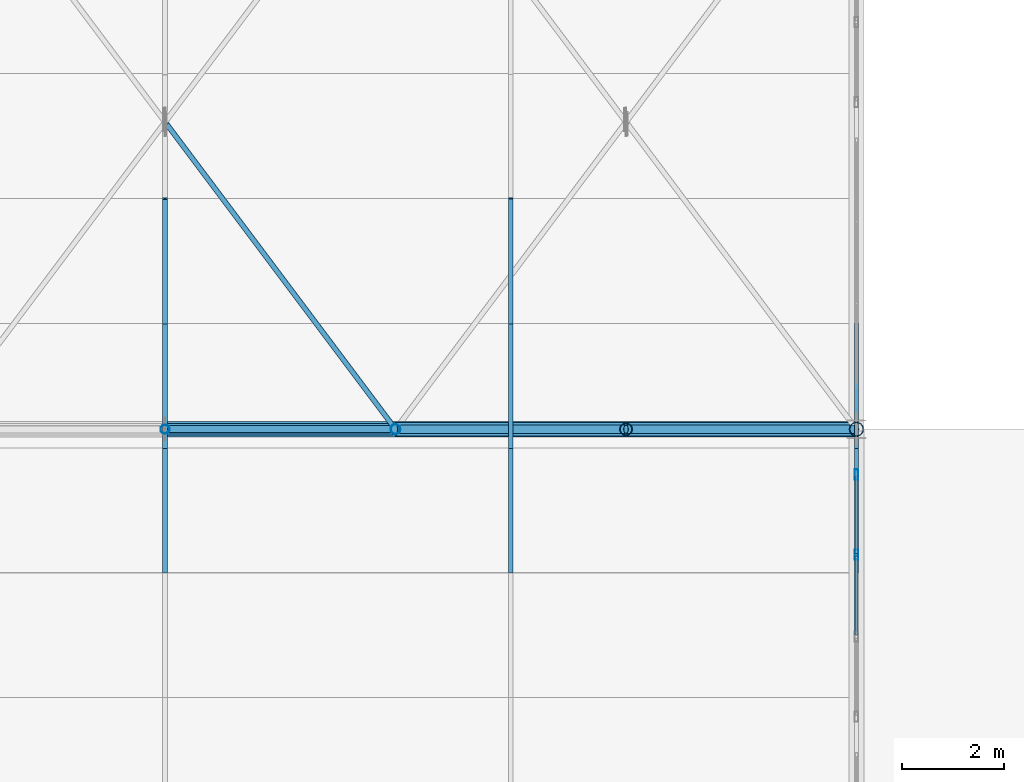
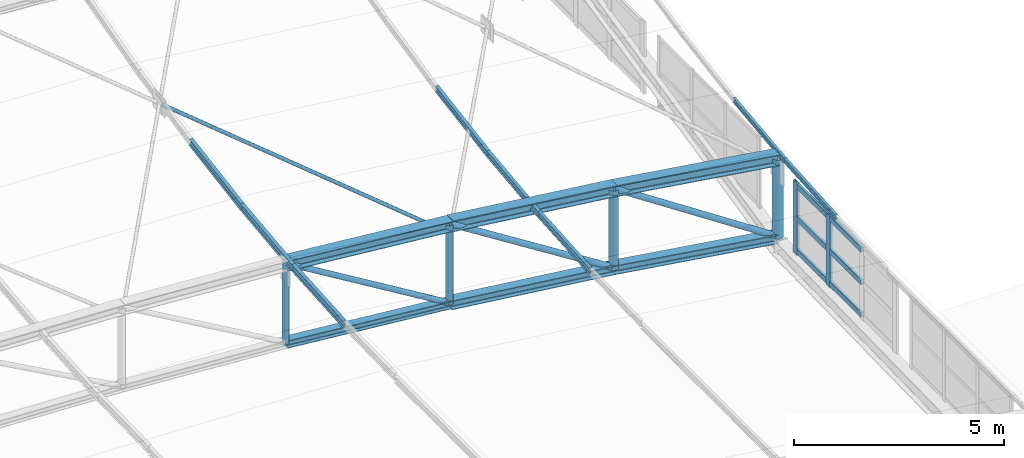
# One storey, part 123 of 262: 30 members, 1 element without a shape of its own.
"""IFC4 building model written with IfcOpenShell, lengths in metres."""

from ifc_helpers import new_model, si_unit, derived_unit, direction, frame, origin, origin_2d, place, context, subcontext, project, spatial, hollow_rectangle, hollow_circle, i_section, extrude, material, layer, layer_set, material_profile, profile_set, type_object, element, aggregate, save


model = new_model("IFC4")

# Units and contexts
model_context = context("Model", 3, precision=1e-05, world=origin(), true_north=direction((0.0, 1.0)))
body_context = subcontext(model_context, "Body", "Model", "MODEL_VIEW")
ifc_project = project(units=[si_unit("LENGTHUNIT", "METRE"), si_unit("AREAUNIT", "SQUARE_METRE"), si_unit("VOLUMEUNIT", "CUBIC_METRE"), si_unit("PLANEANGLEUNIT", "RADIAN"), si_unit("MASSUNIT", "GRAM", prefix="KILO"), derived_unit("THERMALTRANSMITTANCEUNIT", [(si_unit("POWERUNIT", "WATT"), 1), (si_unit("LENGTHUNIT", "METRE"), -2), (si_unit("THERMODYNAMICTEMPERATUREUNIT", "KELVIN"), -1)])], contexts=[model_context])

# Site, building, storey
site_placement = place(None, origin())
site = spatial("IfcSite", under=ifc_project, at=site_placement, CompositionType="ELEMENT")
building_placement = place(site_placement, origin())
building = spatial("IfcBuilding", under=site, at=building_placement, Name="Almenara Railside Exhibition Hall", CompositionType="ELEMENT")
storey_placement = place(building_placement, frame((0.0, 0.0, 21.699951171875)))
storey = spatial("IfcBuildingStorey", under=building, at=storey_placement, Name="RF", CompositionType="ELEMENT", Elevation=21.699951171875)

# Members
ifc_material_1 = material(Name="Structural steel S355JR", Category="steel")
ifc_material_profile_1 = material_profile(ifc_material_1, i_section(OverallWidth=0.300048828125, OverallDepth=0.300048828125, WebThickness=0.010986328125, FlangeThickness=0.01904296875, FilletRadius=0.027099609375, at=origin_2d()), Name="HEB 300")
ifc_profile_set_1 = profile_set([ifc_material_profile_1], Name="Structural steel S355JR")
member_type_1 = type_object("IfcMemberType", Name="Arched Inner Top Chord HEB 300 S355JR", PredefinedType="CHORD", material=ifc_profile_set_1)
member_1_placement = place(storey_placement, frame((52.5, 108.0, 1.814697265625), z_axis=(0.995512933083, 0.0, -0.094625578275), x_axis=(0.0, 1.0, 0.0)))
element("IfcMember", 1, at=member_1_placement, inside=storey, type_object=member_type_1, Name="MEM-TC-V1-05-09", PredefinedType="CHORD", context=body_context, shape_type="SweptSolid", body=[
    extrude(i_section(OverallWidth=0.300048828125, OverallDepth=0.300048828125, WebThickness=0.010986328125, FlangeThickness=0.01904296875, FilletRadius=0.027099609375, at=origin_2d()), origin(), (0.0, 0.0, 1.0), 4.520263671875),
])
ifc_material_profile_2 = material_profile(ifc_material_1, i_section(OverallWidth=0.260009765625, OverallDepth=0.260009765625, WebThickness=0.010009765625, FlangeThickness=0.017578125, FilletRadius=0.02392578125, at=origin_2d()), Name="HEB 260")
ifc_profile_set_2 = profile_set([ifc_material_profile_2], Name="Structural steel S355JR")
member_type_2 = type_object("IfcMemberType", Name="Arched Truss Bottom Chord HEB 260 S355JR", PredefinedType="CHORD", material=ifc_profile_set_2)
member_2_placement = place(storey_placement, frame((57.0, 108.0, -0.9130859375), z_axis=(0.992618705116, 0.0, -0.12127698155), x_axis=(0.0, 1.0, 0.0)))
element("IfcMember", 2, at=member_2_placement, inside=storey, type_object=member_type_2, Name="MEM-BC-V1-05-10", PredefinedType="CHORD", context=body_context, shape_type="SweptSolid", body=[
    extrude(i_section(OverallWidth=0.260009765625, OverallDepth=0.260009765625, WebThickness=0.010009765625, FlangeThickness=0.017578125, FilletRadius=0.02392578125, at=origin_2d()), origin(), (0.0, 0.0, 1.0), 4.533447265625),
])
member_3_placement = place(storey_placement, frame((61.5, 108.0, -1.462890625), z_axis=(0.989021203369, 0.0, -0.147773675894), x_axis=(0.0, 1.0, 0.0)))
element("IfcMember", 3, at=member_3_placement, inside=storey, type_object=member_type_2, Name="MEM-BC-V1-05-11", PredefinedType="CHORD", context=body_context, shape_type="SweptSolid", body=[
    extrude(i_section(OverallWidth=0.260009765625, OverallDepth=0.260009765625, WebThickness=0.010009765625, FlangeThickness=0.017578125, FilletRadius=0.02392578125, at=origin_2d()), origin(), (0.0, 0.0, 1.0), 4.550048828125),
])
ifc_material_profile_3 = material_profile(ifc_material_1, i_section(OverallWidth=0.300048828125, OverallDepth=0.320068359375, WebThickness=0.011474609375, FlangeThickness=0.0205078125, FilletRadius=0.027099609375, at=origin_2d()), Name="HEB 320")
ifc_profile_set_3 = profile_set([ifc_material_profile_3], Name="Structural steel S355JR")
member_type_3 = type_object("IfcMemberType", Name="Arched Truss Top Chord HEB 320 S355JR", PredefinedType="CHORD", material=ifc_profile_set_3)
member_4_placement = place(storey_placement, frame((57.0, 108.0, 1.386962890625), z_axis=(0.992612220818, 0.0, -0.121330041965), x_axis=(0.0, 1.0, 0.0)))
element("IfcMember", 4, at=member_4_placement, inside=storey, type_object=member_type_3, Name="MEM-TC-V1-05-10", PredefinedType="CHORD", context=body_context, shape_type="SweptSolid", body=[
    extrude(i_section(OverallWidth=0.300048828125, OverallDepth=0.320068359375, WebThickness=0.011474609375, FlangeThickness=0.0205078125, FilletRadius=0.027099609375, at=origin_2d()), origin(), (0.0, 0.0, 1.0), 4.533447265625),
])
member_5_placement = place(storey_placement, frame((61.5, 108.0, 0.8369140625), z_axis=(0.9890290442, 0.0, -0.147721189165), x_axis=(0.0, 1.0, 0.0)))
element("IfcMember", 5, at=member_5_placement, inside=storey, type_object=member_type_3, Name="MEM-TC-V1-05-11", PredefinedType="CHORD", context=body_context, shape_type="SweptSolid", body=[
    extrude(i_section(OverallWidth=0.300048828125, OverallDepth=0.320068359375, WebThickness=0.011474609375, FlangeThickness=0.0205078125, FilletRadius=0.027099609375, at=origin_2d()), origin(), (0.0, 0.0, 1.0), 4.5498046875),
])
ifc_material_profile_4 = material_profile(ifc_material_1, i_section(OverallWidth=0.072998046875, OverallDepth=0.139892578125, WebThickness=0.004638671875, FlangeThickness=0.0068359375, FilletRadius=0.007080078125, at=origin_2d()), Name="IPE 140")
ifc_profile_set_4 = profile_set([ifc_material_profile_4], Name="Structural steel S355JR")
member_type_4 = type_object("IfcMemberType", Name="Canopy Edge Purlin IPE 140 S355JR", PredefinedType="PURLIN", material=ifc_profile_set_4)
member_6_placement = place(storey_placement, frame((66.0, 105.1962890625, 0.121826171875), z_axis=(0.0, 0.997528729247, 0.070259763216), x_axis=(-1.0, 0.0, 0.0)))
element("IfcMember", 6, at=member_6_placement, inside=storey, type_object=member_type_4, Name="MEM-PR-V1-PR-IPE140-08-17", PredefinedType="PURLIN", context=body_context, shape_type="SweptSolid", body=[
    extrude(i_section(OverallWidth=0.072998046875, OverallDepth=0.139892578125, WebThickness=0.004638671875, FlangeThickness=0.0068359375, FilletRadius=0.007080078125, at=origin_2d()), origin(), (0.0, 0.0, 1.0), 2.44287109375),
])
member_7_placement = place(storey_placement, frame((66.0, 107.633056640625, 0.292236328125), z_axis=(0.0, 0.993105700961, 0.117222296166), x_axis=(-1.0, 0.0, 0.0)))
element("IfcMember", 7, at=member_7_placement, inside=storey, type_object=member_type_4, Name="MEM-PR-V1-PR-IPE140-08-18", PredefinedType="PURLIN", context=body_context, shape_type="SweptSolid", body=[
    extrude(i_section(OverallWidth=0.072998046875, OverallDepth=0.139892578125, WebThickness=0.004638671875, FlangeThickness=0.0068359375, FilletRadius=0.007080078125, at=origin_2d()), origin(), (0.0, 0.0, 1.0), 2.453369140625),
])

# Curtain wall, members
ifc_material_2 = material(Name="Bronze-anodised aluminium and low-E double glazing", Category="aluminium")
ifc_layer = layer(ifc_material_2, 0.179931640625, Name="Bronze-anodised aluminium and low-E double glazing")
ifc_layer_set = layer_set([ifc_layer], Name="Bronze-anodised aluminium and low-E double glazing")
curtain_wall_type = type_object("IfcCurtainWallType", Name="West Hall Clerestory Curtain Wall 4200x2400", PredefinedType="NOTDEFINED", material=ifc_layer_set)
curtain_wall_placement = place(storey_placement, origin())
curtain_wall = element("IfcCurtainWall", 8, at=curtain_wall_placement, inside=storey, type_object=curtain_wall_type, Name="Curtain wall CW-CL1-187", PredefinedType="NOTDEFINED")
ifc_material_3 = material(Name="Bronze-anodised aluminium", Category="aluminium")
ifc_material_profile_5 = material_profile(ifc_material_3, hollow_rectangle(XDim=0.070068359375, YDim=0.199951171875, WallThickness=0.00439453125, InnerFilletRadius=0.00439453125, OuterFilletRadius=0.009033203125, at=origin_2d()), Name="ALU-MUL 70x200x4.5")
ifc_profile_set_5 = profile_set([ifc_material_profile_5], Name="Bronze-anodised aluminium")
member_type_5 = type_object("IfcMemberType", Name="Curtain Wall Mullion 70x200x4.5", PredefinedType="MULLION", material=ifc_profile_set_5)
member_8_placement = place(storey_placement, frame((66.0, 105.550048828125, -2.0849609375), z_axis=(0.0, 0.0, 1.0), x_axis=(-1.0, 0.0, 0.0)))
member_8 = element("IfcMember", 9, at=member_8_placement, type_object=member_type_5, Name="CW-CL1-187 mullion 3", PredefinedType="MULLION", context=body_context, shape_type="SweptSolid", body=[
    extrude(hollow_rectangle(XDim=0.070068359375, YDim=0.199951171875, WallThickness=0.00439453125, InnerFilletRadius=0.00439453125, OuterFilletRadius=0.009033203125, at=origin_2d()), origin(), (0.0, 0.0, 1.0), 2.0849609375),
])
member_9_placement = place(storey_placement, frame((66.0, 107.114990234375, -2.0849609375), z_axis=(0.0, 0.0, 1.0), x_axis=(-1.0, 0.0, 0.0)))
member_9 = element("IfcMember", 10, at=member_9_placement, type_object=member_type_5, Name="CW-CL1-187 mullion 4", PredefinedType="MULLION", context=body_context, shape_type="SweptSolid", body=[
    extrude(hollow_rectangle(XDim=0.070068359375, YDim=0.199951171875, WallThickness=0.00439453125, InnerFilletRadius=0.00439453125, OuterFilletRadius=0.009033203125, at=origin_2d()), origin(), (0.0, 0.0, 1.0), 2.0849609375),
])
ifc_material_profile_6 = material_profile(ifc_material_3, hollow_rectangle(XDim=0.070068359375, YDim=0.159912109375, WallThickness=0.00390625, InnerFilletRadius=0.00390625, OuterFilletRadius=0.008056640625, at=origin_2d()), Name="ALU-TRN 70x160x4")
ifc_profile_set_6 = profile_set([ifc_material_profile_6], Name="Bronze-anodised aluminium")
member_type_6 = type_object("IfcMemberType", Name="Curtain Wall Transom 70x160x4", PredefinedType="USERDEFINED", material=ifc_profile_set_6)
member_10_placement = place(storey_placement, frame((66.0, 103.97705078125, -1.969970703125), z_axis=(0.0, 1.0, 0.0), x_axis=(-1.0, 0.0, 0.0)))
member_10 = element("IfcMember", 11, at=member_10_placement, type_object=member_type_6, Name="CW-CL1-187 transom 2.1", ObjectType="TRANSOM", PredefinedType="USERDEFINED", context=body_context, shape_type="SweptSolid", body=[
    extrude(hollow_rectangle(XDim=0.070068359375, YDim=0.159912109375, WallThickness=0.00390625, InnerFilletRadius=0.00390625, OuterFilletRadius=0.008056640625, at=origin_2d()), origin(), (0.0, 0.0, 1.0), 1.5458984375),
])
member_11_placement = place(storey_placement, frame((66.0, 103.97705078125, -1.02490234375), z_axis=(0.0, 1.0, 0.0), x_axis=(-1.0, 0.0, 0.0)))
member_11 = element("IfcMember", 12, at=member_11_placement, type_object=member_type_6, Name="CW-CL1-187 transom 2.2", ObjectType="TRANSOM", PredefinedType="USERDEFINED", context=body_context, shape_type="SweptSolid", body=[
    extrude(hollow_rectangle(XDim=0.070068359375, YDim=0.159912109375, WallThickness=0.00390625, InnerFilletRadius=0.00390625, OuterFilletRadius=0.008056640625, at=origin_2d()), origin(), (0.0, 0.0, 1.0), 1.5458984375),
])
member_12_placement = place(storey_placement, frame((66.0, 103.97705078125, -0.079833984375), z_axis=(0.0, 1.0, 0.0), x_axis=(-1.0, 0.0, 0.0)))
member_12 = element("IfcMember", 13, at=member_12_placement, type_object=member_type_6, Name="CW-CL1-187 transom 2.3", ObjectType="TRANSOM", PredefinedType="USERDEFINED", context=body_context, shape_type="SweptSolid", body=[
    extrude(hollow_rectangle(XDim=0.070068359375, YDim=0.159912109375, WallThickness=0.00390625, InnerFilletRadius=0.00390625, OuterFilletRadius=0.008056640625, at=origin_2d()), origin(), (0.0, 0.0, 1.0), 1.5458984375),
])
member_13_placement = place(storey_placement, frame((66.0, 105.576904296875, -1.969970703125), z_axis=(0.0, 1.0, 0.0), x_axis=(-1.0, 0.0, 0.0)))
member_13 = element("IfcMember", 14, at=member_13_placement, type_object=member_type_6, Name="CW-CL1-187 transom 3.1", ObjectType="TRANSOM", PredefinedType="USERDEFINED", context=body_context, shape_type="SweptSolid", body=[
    extrude(hollow_rectangle(XDim=0.070068359375, YDim=0.159912109375, WallThickness=0.00390625, InnerFilletRadius=0.00390625, OuterFilletRadius=0.008056640625, at=origin_2d()), origin(), (0.0, 0.0, 1.0), 1.510986328125),
])
member_14_placement = place(storey_placement, frame((66.0, 105.576904296875, -1.02490234375), z_axis=(0.0, 1.0, 0.0), x_axis=(-1.0, 0.0, 0.0)))
member_14 = element("IfcMember", 15, at=member_14_placement, type_object=member_type_6, Name="CW-CL1-187 transom 3.2", ObjectType="TRANSOM", PredefinedType="USERDEFINED", context=body_context, shape_type="SweptSolid", body=[
    extrude(hollow_rectangle(XDim=0.070068359375, YDim=0.159912109375, WallThickness=0.00390625, InnerFilletRadius=0.00390625, OuterFilletRadius=0.008056640625, at=origin_2d()), origin(), (0.0, 0.0, 1.0), 1.510986328125),
])
member_15_placement = place(storey_placement, frame((66.0, 105.576904296875, -0.079833984375), z_axis=(0.0, 1.0, 0.0), x_axis=(-1.0, 0.0, 0.0)))
member_15 = element("IfcMember", 16, at=member_15_placement, type_object=member_type_6, Name="CW-CL1-187 transom 3.3", ObjectType="TRANSOM", PredefinedType="USERDEFINED", context=body_context, shape_type="SweptSolid", body=[
    extrude(hollow_rectangle(XDim=0.070068359375, YDim=0.159912109375, WallThickness=0.00390625, InnerFilletRadius=0.00390625, OuterFilletRadius=0.008056640625, at=origin_2d()), origin(), (0.0, 0.0, 1.0), 1.510986328125),
])
aggregate(curtain_wall, [member_8, member_9, member_10, member_11, member_12, member_13, member_14, member_15])

# Members
ifc_material_profile_7 = material_profile(ifc_material_1, i_section(OverallWidth=0.091064453125, OverallDepth=0.179931640625, WebThickness=0.00537109375, FlangeThickness=0.008056640625, FilletRadius=0.009033203125, at=origin_2d()), Name="IPE 180")
ifc_profile_set_7 = profile_set([ifc_material_profile_7], Name="Structural steel S355JR")
member_type_7 = type_object("IfcMemberType", Name="Plenary Roof Purlin IPE 180 S355JR", PredefinedType="PURLIN", material=ifc_profile_set_7)
member_16_placement = place(storey_placement, frame((59.25, 105.1962890625, 0.92822265625), z_axis=(0.0, 0.997528729247, 0.070259763216), x_axis=(-1.0, 0.0, 0.0)))
element("IfcMember", 17, at=member_16_placement, inside=storey, type_object=member_type_7, Name="MEM-PR-V1-PR-IPE180-07-17", PredefinedType="PURLIN", context=body_context, shape_type="SweptSolid", body=[
    extrude(i_section(OverallWidth=0.091064453125, OverallDepth=0.179931640625, WebThickness=0.00537109375, FlangeThickness=0.008056640625, FilletRadius=0.009033203125, at=origin_2d()), origin(), (0.0, 0.0, 1.0), 2.44287109375),
])
member_17_placement = place(storey_placement, frame((59.25, 107.633056640625, 1.0986328125), z_axis=(0.0, 0.993117280569, 0.117124152227), x_axis=(-1.0, 0.0, 0.0)))
element("IfcMember", 18, at=member_17_placement, inside=storey, type_object=member_type_7, Name="MEM-PR-V1-PR-IPE180-07-18", PredefinedType="PURLIN", context=body_context, shape_type="SweptSolid", body=[
    extrude(i_section(OverallWidth=0.091064453125, OverallDepth=0.179931640625, WebThickness=0.00537109375, FlangeThickness=0.008056640625, FilletRadius=0.009033203125, at=origin_2d()), origin(), (0.0, 0.0, 1.0), 2.453369140625),
])
member_18_placement = place(storey_placement, frame((59.25, 110.069580078125, 1.38427734375), z_axis=(0.0, 0.986465951297, 0.163966237171), x_axis=(-1.0, 0.0, 0.0)))
element("IfcMember", 19, at=member_18_placement, inside=storey, type_object=member_type_7, Name="MEM-PR-V1-PR-IPE180-07-19", PredefinedType="PURLIN", context=body_context, shape_type="SweptSolid", body=[
    extrude(i_section(OverallWidth=0.091064453125, OverallDepth=0.179931640625, WebThickness=0.00537109375, FlangeThickness=0.008056640625, FilletRadius=0.009033203125, at=origin_2d()), origin(), (0.0, 0.0, 1.0), 2.47021484375),
])
ifc_material_profile_8 = material_profile(ifc_material_1, i_section(OverallWidth=0.219970703125, OverallDepth=0.219970703125, WebThickness=0.009521484375, FlangeThickness=0.01611328125, FilletRadius=0.01806640625, at=origin_2d()), Name="HEB 220")
ifc_profile_set_8 = profile_set([ifc_material_profile_8], Name="Structural steel S355JR")
member_type_8 = type_object("IfcMemberType", Name="Scroll Tie Chord HEB 220 S355JR", PredefinedType="CHORD", material=ifc_profile_set_8)
member_19_placement = place(storey_placement, frame((52.5, 108.0, -0.485107421875), z_axis=(0.995507843872, 0.0, -0.094679104292), x_axis=(0.0, 1.0, 0.0)))
element("IfcMember", 20, at=member_19_placement, inside=storey, type_object=member_type_8, Name="MEM-BC-V1-05-09", PredefinedType="CHORD", context=body_context, shape_type="SweptSolid", body=[
    extrude(i_section(OverallWidth=0.219970703125, OverallDepth=0.219970703125, WebThickness=0.009521484375, FlangeThickness=0.01611328125, FilletRadius=0.01806640625, at=origin_2d()), origin(), (0.0, 0.0, 1.0), 4.520263671875),
])
ifc_material_profile_9 = material_profile(ifc_material_1, hollow_circle(Radius=0.05078125, WallThickness=0.00390625, at=origin_2d()), Name="CHS 101.6x4")
ifc_profile_set_9 = profile_set([ifc_material_profile_9], Name="Structural steel S355JR")
member_type_9 = type_object("IfcMemberType", Name="Scroll Wind Plan Brace CHS 101.6x4 S355JR", PredefinedType="BRACE", material=ifc_profile_set_9)
member_20_placement = place(storey_placement, frame((57.0, 108.0, 1.10693359375), z_axis=(-0.585077102142, 0.780092146296, 0.221677756748), x_axis=(-0.799996065737, -0.600005245648, 0.0)))
element("IfcMember", 21, at=member_20_placement, inside=storey, type_object=member_type_9, Name="MEM-WB-V1-WB-CHS102-05-08-S1", PredefinedType="BRACE", context=body_context, shape_type="SweptSolid", body=[
    extrude(hollow_circle(Radius=0.05078125, WallThickness=0.00390625, at=origin_2d()), origin(), (0.0, 0.0, 1.0), 7.63671875),
])
ifc_material_profile_10 = material_profile(ifc_material_1, i_section(OverallWidth=0.10009765625, OverallDepth=0.199951171875, WebThickness=0.005615234375, FlangeThickness=0.008544921875, FilletRadius=0.011962890625, at=origin_2d()), Name="IPE 200")
ifc_profile_set_10 = profile_set([ifc_material_profile_10], Name="Structural steel S355JR")
member_type_10 = type_object("IfcMemberType", Name="Standard Hall Roof Purlin IPE 200 S355JR", PredefinedType="PURLIN", material=ifc_profile_set_10)
member_21_placement = place(storey_placement, frame((52.5, 105.1962890625, 1.744873046875), z_axis=(0.0, 0.997521719737, 0.070359211571), x_axis=(-1.0, 0.0, 0.0)))
element("IfcMember", 22, at=member_21_placement, inside=storey, type_object=member_type_10, Name="MEM-PR-V1-PR-IPE200-06-17", PredefinedType="PURLIN", context=body_context, shape_type="SweptSolid", body=[
    extrude(i_section(OverallWidth=0.10009765625, OverallDepth=0.199951171875, WebThickness=0.005615234375, FlangeThickness=0.008544921875, FilletRadius=0.011962890625, at=origin_2d()), origin(), (0.0, 0.0, 1.0), 2.44287109375),
])
member_22_placement = place(storey_placement, frame((52.5, 107.633056640625, 1.915283203125), z_axis=(0.0, 0.993105700961, 0.117222296166), x_axis=(-1.0, 0.0, 0.0)))
element("IfcMember", 23, at=member_22_placement, inside=storey, type_object=member_type_10, Name="MEM-PR-V1-PR-IPE200-06-18", PredefinedType="PURLIN", context=body_context, shape_type="SweptSolid", body=[
    extrude(i_section(OverallWidth=0.10009765625, OverallDepth=0.199951171875, WebThickness=0.005615234375, FlangeThickness=0.008544921875, FilletRadius=0.011962890625, at=origin_2d()), origin(), (0.0, 0.0, 1.0), 2.453369140625),
])
member_23_placement = place(storey_placement, frame((52.5, 110.069580078125, 2.200927734375), z_axis=(0.0, 0.986449960692, 0.164062412058), x_axis=(-1.0, 0.0, 0.0)))
element("IfcMember", 24, at=member_23_placement, inside=storey, type_object=member_type_10, Name="MEM-PR-V1-PR-IPE200-06-19", PredefinedType="PURLIN", context=body_context, shape_type="SweptSolid", body=[
    extrude(i_section(OverallWidth=0.10009765625, OverallDepth=0.199951171875, WebThickness=0.005615234375, FlangeThickness=0.008544921875, FilletRadius=0.011962890625, at=origin_2d()), origin(), (0.0, 0.0, 1.0), 2.47021484375),
])
ifc_material_profile_11 = material_profile(ifc_material_1, hollow_circle(Radius=0.084228515625, WallThickness=0.006103515625, at=origin_2d()), Name="CHS 168.3x6")
ifc_profile_set_11 = profile_set([ifc_material_profile_11], Name="Structural steel S355JR")
member_type_11 = type_object("IfcMemberType", Name="Truss End Diagonal CHS 168.3x6 S355JR", PredefinedType="BRACE", material=ifc_profile_set_11)
member_24_placement = place(storey_placement, frame((57.0, 108.0, 1.386962890625), z_axis=(0.8448315064, 0.0, -0.535032453028), x_axis=(0.0, 1.0, 0.0)))
element("IfcMember", 25, at=member_24_placement, inside=storey, type_object=member_type_11, Name="MEM-TD-V1-05-10", PredefinedType="BRACE", context=body_context, shape_type="SweptSolid", body=[
    extrude(hollow_circle(Radius=0.084228515625, WallThickness=0.006103515625, at=origin_2d()), origin(), (0.0, 0.0, 1.0), 5.326416015625),
])
member_25_placement = place(storey_placement, frame((61.5, 108.0, 0.8369140625), z_axis=(0.834424544227, 0.0, -0.551122200598), x_axis=(0.0, 1.0, 0.0)))
element("IfcMember", 26, at=member_25_placement, inside=storey, type_object=member_type_11, Name="MEM-TD-V1-05-11", PredefinedType="BRACE", context=body_context, shape_type="SweptSolid", body=[
    extrude(hollow_circle(Radius=0.084228515625, WallThickness=0.006103515625, at=origin_2d()), origin(), (0.0, 0.0, 1.0), 5.392822265625),
])
ifc_material_profile_12 = material_profile(ifc_material_1, hollow_circle(Radius=0.122314453125, WallThickness=0.008056640625, at=origin_2d()), Name="CHS 244.5x8")
ifc_profile_set_12 = profile_set([ifc_material_profile_12], Name="Structural steel S355JR")
member_type_12 = type_object("IfcMemberType", Name="Truss Haunch Vertical Strut CHS 244.5x8 S355JR", PredefinedType="BRACE", material=ifc_profile_set_12)
member_26_placement = place(storey_placement, frame((61.5, 108.0, -1.462890625), z_axis=(0.0, 0.0, 1.0), x_axis=(1.0, 0.0, 0.0)))
element("IfcMember", 27, at=member_26_placement, inside=storey, type_object=member_type_12, Name="MEM-TV-V1-05-11", PredefinedType="BRACE", context=body_context, shape_type="SweptSolid", body=[
    extrude(hollow_circle(Radius=0.122314453125, WallThickness=0.008056640625, at=origin_2d()), origin(), (0.0, 0.0, 1.0), 2.2998046875),
])
ifc_material_profile_13 = material_profile(ifc_material_1, hollow_circle(Radius=0.076171875, WallThickness=0.0048828125, at=origin_2d()), Name="CHS 152.4x5")
ifc_profile_set_13 = profile_set([ifc_material_profile_13], Name="Structural steel S355JR")
member_type_13 = type_object("IfcMemberType", Name="Truss Mid Diagonal CHS 152.4x5 S355JR", PredefinedType="BRACE", material=ifc_profile_set_13)
member_27_placement = place(storey_placement, frame((52.5, 108.0, 1.814697265625), z_axis=(0.855154829777, 0.0, -0.518372662386), x_axis=(0.0, 1.0, 0.0)))
element("IfcMember", 28, at=member_27_placement, inside=storey, type_object=member_type_13, Name="MEM-TD-V1-05-09", PredefinedType="BRACE", context=body_context, shape_type="SweptSolid", body=[
    extrude(hollow_circle(Radius=0.076171875, WallThickness=0.0048828125, at=origin_2d()), origin(), (0.0, 0.0, 1.0), 5.26220703125),
])
ifc_material_profile_14 = material_profile(ifc_material_1, hollow_circle(Radius=0.0888671875, WallThickness=0.006103515625, at=origin_2d()), Name="CHS 177.8x6")
ifc_profile_set_14 = profile_set([ifc_material_profile_14], Name="Structural steel S355JR")
member_type_14 = type_object("IfcMemberType", Name="Truss Quarter Vertical Strut CHS 177.8x6 S355JR", PredefinedType="BRACE", material=ifc_profile_set_14)
member_28_placement = place(storey_placement, frame((52.5, 108.0, -0.485107421875), z_axis=(0.0, 0.0, 1.0), x_axis=(1.0, 0.0, 0.0)))
element("IfcMember", 29, at=member_28_placement, inside=storey, type_object=member_type_14, Name="MEM-TV-V1-05-09", PredefinedType="BRACE", context=body_context, shape_type="SweptSolid", body=[
    extrude(hollow_circle(Radius=0.0888671875, WallThickness=0.006103515625, at=origin_2d()), origin(), (0.0, 0.0, 1.0), 2.2998046875),
])
ifc_material_profile_15 = material_profile(ifc_material_1, hollow_circle(Radius=0.096923828125, WallThickness=0.00634765625, at=origin_2d()), Name="CHS 193.7x6.3")
ifc_profile_set_15 = profile_set([ifc_material_profile_15], Name="Structural steel S355JR")
member_type_15 = type_object("IfcMemberType", Name="Truss Standard Vertical Strut CHS 193.7x6.3 S355JR", PredefinedType="BRACE", material=ifc_profile_set_15)
member_29_placement = place(storey_placement, frame((57.0, 108.0, -0.9130859375), z_axis=(0.0, 0.0, 1.0), x_axis=(1.0, 0.0, 0.0)))
element("IfcMember", 30, at=member_29_placement, inside=storey, type_object=member_type_15, Name="MEM-TV-V1-05-10", PredefinedType="BRACE", context=body_context, shape_type="SweptSolid", body=[
    extrude(hollow_circle(Radius=0.096923828125, WallThickness=0.00634765625, at=origin_2d()), origin(), (0.0, 0.0, 1.0), 2.300048828125),
])
ifc_material_profile_16 = material_profile(ifc_material_1, hollow_circle(Radius=0.136474609375, WallThickness=0.008056640625, at=origin_2d()), Name="CHS 273x8")
ifc_profile_set_16 = profile_set([ifc_material_profile_16], Name="Structural steel S355JR")
member_type_16 = type_object("IfcMemberType", Name="Truss Support Vertical Strut CHS 273x8 S355JR", PredefinedType="BRACE", material=ifc_profile_set_16)
member_30_placement = place(storey_placement, frame((66.0, 108.0, -2.13525390625), z_axis=(0.0, 0.0, 1.0), x_axis=(1.0, 0.0, 0.0)))
element("IfcMember", 31, at=member_30_placement, inside=storey, type_object=member_type_16, Name="MEM-TV-V1-05-12", PredefinedType="BRACE", context=body_context, shape_type="SweptSolid", body=[
    extrude(hollow_circle(Radius=0.136474609375, WallThickness=0.008056640625, at=origin_2d()), origin(), (0.0, 0.0, 1.0), 2.300048828125),
])

save(model, "model.ifc")
